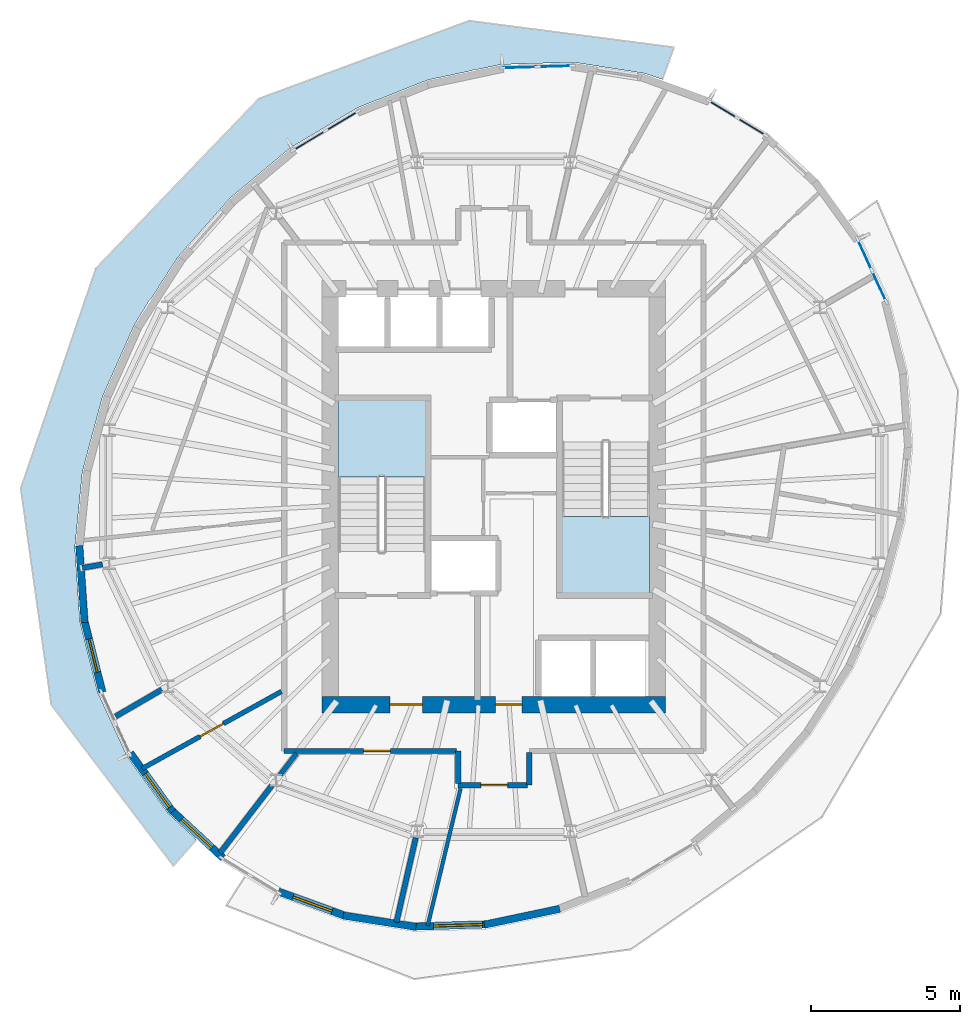
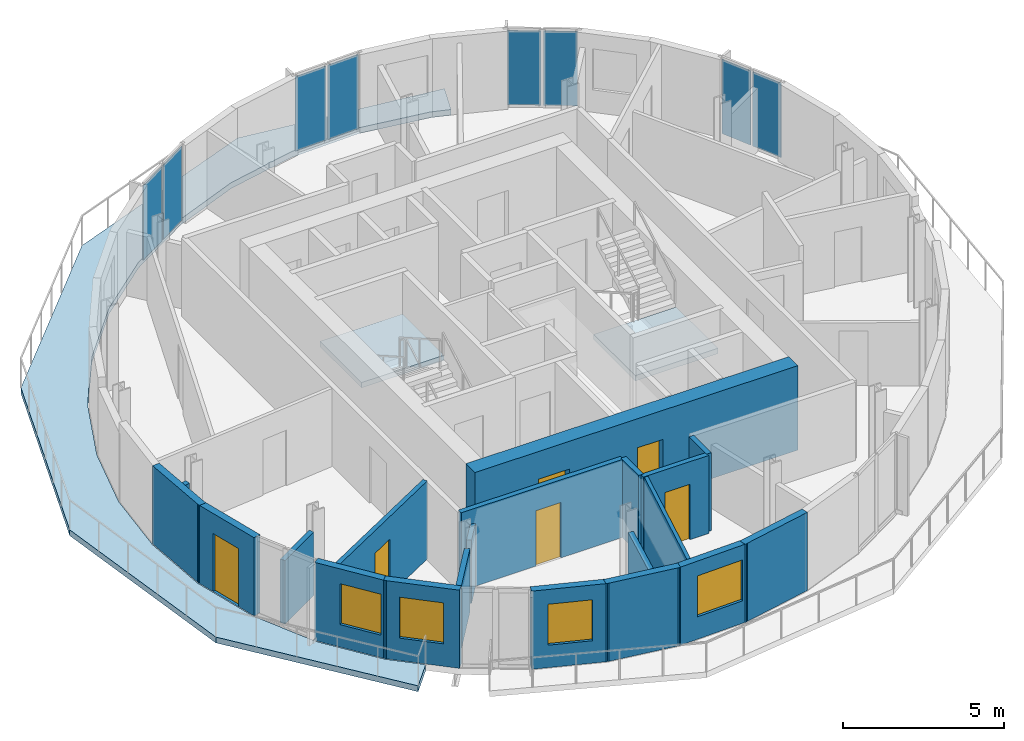
# One storey, part 4 of 11: 20 walls, 8 plates, 6 doors, 4 windows, 3 slabs, 10 openings, 6 elements without a shape of their own.
"""IFC4 building model written with IfcOpenShell, lengths in metres."""

from ifc_helpers import new_model, si_unit, direction, frame, frame_2d, origin, origin_2d, place, context, subcontext, project, spatial, polyline, rectangle, outline, extrude, material, layer, layer_set, type_object, element, fill, aggregate, save


model = new_model("IFC4")

# Units and contexts
model_context = context("Model", 3, precision=1e-05, world=origin(), true_north=direction((0.0, 1.0)))
body_context = subcontext(model_context, "Body", "Model", "MODEL_VIEW")
ifc_project = project(units=[si_unit("LENGTHUNIT", "METRE"), si_unit("AREAUNIT", "SQUARE_METRE"), si_unit("VOLUMEUNIT", "CUBIC_METRE"), si_unit("PLANEANGLEUNIT", "RADIAN"), si_unit("MASSUNIT", "GRAM", prefix="KILO")], contexts=[model_context])

# Site, building, storey
site_placement = place(None, origin())
site = spatial("IfcSite", under=ifc_project, at=site_placement, CompositionType="ELEMENT")
building_placement = place(site_placement, origin())
building = spatial("IfcBuilding", under=site, at=building_placement, Name="Veldorim Arch Residences", CompositionType="ELEMENT")
storey_placement = place(building_placement, frame((0.0, 0.0, 211.0400390625)))
storey = spatial("IfcBuildingStorey", under=building, at=storey_placement, Name="L63", CompositionType="ELEMENT", Elevation=211.0400390625)

# Slab
ifc_material_1 = material(Name="Concrete C40/50", Category="concrete")
ifc_layer_1 = layer(ifc_material_1, 0.219970703125, Name="Planted Crescent Cantilever Balcony Slab 220")
ifc_layer_set_1 = layer_set([ifc_layer_1], Name="Concrete C40/50")
slab_type_1 = type_object("IfcSlabType", Name="Planted Crescent Cantilever Balcony Slab 220", PredefinedType="FLOOR", material=ifc_layer_set_1)
slab_1_placement = place(storey_placement, frame((0.0, 0.0, -0.219970703125)))
element("IfcSlab", 1, at=slab_1_placement, inside=storey, type_object=slab_type_1, Name="L63 planted crescent balcony slab A", PredefinedType="FLOOR", context=body_context, shape_type="SweptSolid", body=[
    extrude(outline(polyline([(37.680419921875, 38.05078125), (37.051513671875, 38.256103515625), (34.687744140625, 38.62548828125), (32.2421875, 38.5498046875), (31.4560546875, 38.384033203125), (31.35986328125, 38.38916015625), (31.243896484375, 38.33935546875), (29.789794921875, 38.032470703125), (27.404296875, 37.088623046875), (25.158935546875, 35.747314453125), (23.121337890625, 34.04931640625), (21.353515625, 32.046142578125), (20.4931640625, 30.707763671875), (20.40966796875, 30.6181640625), (19.90869140625, 29.798583984375), (18.831298828125, 27.374755859375), (18.15380859375, 24.848388671875), (17.897216796875, 22.296142578125), (18.068603515625, 19.795654296875), (18.66357421875, 17.422607421875), (19.6640625, 15.248779296875), (21.039306640625, 13.34130859375), (21.90380859375, 12.540283203125), (21.97509765625, 12.429931640625), (21.213134765625, 11.568603515625), (17.098388671875, 16.993408203125), (16.072509765625, 24.278564453125), (18.603515625, 31.689697265625), (24.087646484375, 37.402587890625), (31.172607421875, 40.026123046875), (38.071533203125, 39.132080078125), (37.680419921875, 38.05078125)])), origin(), (0.0, 0.0, 1.0), 0.219970703125),
])

# Stair, slab
ifc_material_2 = material(Name="Concrete C40/50", Category="concrete")
stair_type = type_object("IfcStairType", Name="Reinforced Concrete Dogleg Exit Staircase", PredefinedType="HALF_TURN_STAIR", material=ifc_material_2)
stair_1_placement = place(storey_placement, origin())
stair_1 = element("IfcStair", 2, at=stair_1_placement, inside=storey, type_object=stair_type, Name="L63 Exit Staircase ST-1", PredefinedType="HALF_TURN_STAIR")
ifc_material_3 = material(Name="Concrete C40/50", Category="concrete")
ifc_layer_2 = layer(ifc_material_3, 0.199951171875, Name="Reinforced Concrete Stair Landing 200")
ifc_layer_set_2 = layer_set([ifc_layer_2], Name="Concrete C40/50")
slab_type_2 = type_object("IfcSlabType", Name="Reinforced Concrete Stair Landing 200", PredefinedType="LANDING", material=ifc_layer_set_2)
slab_2_placement = place(storey_placement, frame((0.0, 0.0, 1.39990234375)))
slab_2 = element("IfcSlab", 3, at=slab_2_placement, type_object=slab_type_2, Name="ST-1 landing 1", PredefinedType="LANDING", context=body_context, shape_type="SweptSolid", body=[
    extrude(outline(polyline([(29.7099609375, 24.669921875), (29.7099609375, 27.25), (26.75, 27.25), (26.75, 24.669921875), (29.7099609375, 24.669921875)])), origin(), (0.0, 0.0, 1.0), 0.199951171875),
])
aggregate(stair_1, [slab_2])

stair_2_placement = place(storey_placement, origin())
stair_2 = element("IfcStair", 4, at=stair_2_placement, inside=storey, type_object=stair_type, Name="L63 Exit Staircase ST-2", PredefinedType="HALF_TURN_STAIR")
slab_3_placement = place(storey_placement, frame((0.0, 0.0, 1.39990234375)))
slab_3 = element("IfcSlab", 5, at=slab_3_placement, type_object=slab_type_2, Name="ST-2 landing 1", PredefinedType="LANDING", context=body_context, shape_type="SweptSolid", body=[
    extrude(outline(polyline([(34.2900390625, 23.330078125), (34.2900390625, 20.75), (37.25, 20.75), (37.25, 23.330078125), (34.2900390625, 23.330078125)])), origin(), (0.0, 0.0, 1.0), 0.199951171875),
])
aggregate(stair_2, [slab_3])

# Curtain wall, plates
ifc_material_4 = material(Name="Aluminium", Category="aluminium")
curtain_wall_type = type_object("IfcCurtainWallType", Name="Zone 4 High-Altitude Unitised Curtain Wall", PredefinedType="NOTDEFINED", material=ifc_material_4)
curtain_wall_1_placement = place(storey_placement, origin())
curtain_wall_1 = element("IfcCurtainWall", 6, at=curtain_wall_1_placement, inside=storey, type_object=curtain_wall_type, Name="L63 unitised curtain wall bay 01", PredefinedType="NOTDEFINED")
ifc_material_5 = material(Name="Laminated Low-E Glass", Category="glass")
ifc_layer_3 = layer(ifc_material_5, 0.030029296875, Name="Zone 4 High-Altitude Unitised Curtain Wall Glazing Panel 30")
ifc_layer_set_3 = layer_set([ifc_layer_3], Name="Laminated Low-E Glass")
plate_type = type_object("IfcPlateType", Name="Zone 4 High-Altitude Unitised Curtain Wall Glazing Panel 30", PredefinedType="CURTAIN_PANEL", material=ifc_layer_set_3)
plate_1_placement = place(storey_placement, frame((39.716796875, 37.042236328125, 0.074951171875), z_axis=(0.0, 0.0, 1.0), x_axis=(0.854146218846, -0.520032918989, 0.0)))
plate_1 = element("IfcPlate", 7, at=plate_1_placement, type_object=plate_type, Name="CW-Z4 panel 1.1", PredefinedType="CURTAIN_PANEL", context=body_context, shape_type="SweptSolid", body=[
    extrude(rectangle(XDim=1.0498046875, YDim=0.030029296875, at=origin_2d()), origin(), (0.0, 0.0, 1.0), 2.81005859375),
])
plate_2_placement = place(storey_placement, frame((40.677734375, 36.457275390625, 0.074951171875), z_axis=(0.0, 0.0, 1.0), x_axis=(0.854146218846, -0.520032918989, 0.0)))
plate_2 = element("IfcPlate", 8, at=plate_2_placement, type_object=plate_type, Name="CW-Z4 panel 2.1", PredefinedType="CURTAIN_PANEL", context=body_context, shape_type="SweptSolid", body=[
    extrude(rectangle(XDim=1.0498046875, YDim=0.030029296875, at=origin_2d()), origin(), (0.0, 0.0, 1.0), 2.81005859375),
])
aggregate(curtain_wall_1, [plate_1, plate_2])

curtain_wall_2_placement = place(storey_placement, origin())
curtain_wall_2 = element("IfcCurtainWall", 9, at=curtain_wall_2_placement, inside=storey, type_object=curtain_wall_type, Name="L63 unitised curtain wall bay 04", PredefinedType="NOTDEFINED")
plate_3_placement = place(storey_placement, frame((32.876953125, 38.454345703125, 0.074951171875), z_axis=(0.0, 0.0, 1.0), x_axis=(0.999524500422, 0.030834608084, 0.0)))
plate_3 = element("IfcPlate", 10, at=plate_3_placement, type_object=plate_type, Name="CW-Z4 panel 1.1", PredefinedType="CURTAIN_PANEL", context=body_context, shape_type="SweptSolid", body=[
    extrude(rectangle(XDim=1.108642578125, YDim=0.030029296875, at=origin_2d()), origin(), (0.0, 0.0, 1.0), 2.81005859375),
])
plate_4_placement = place(storey_placement, frame((34.059814453125, 38.490966796875, 0.074951171875), z_axis=(0.0, 0.0, 1.0), x_axis=(0.999524500422, 0.030834608084, 0.0)))
plate_4 = element("IfcPlate", 11, at=plate_4_placement, type_object=plate_type, Name="CW-Z4 panel 2.1", PredefinedType="CURTAIN_PANEL", context=body_context, shape_type="SweptSolid", body=[
    extrude(rectangle(XDim=1.108642578125, YDim=0.030029296875, at=origin_2d()), origin(), (0.0, 0.0, 1.0), 2.81005859375),
])
aggregate(curtain_wall_2, [plate_3, plate_4])

curtain_wall_3_placement = place(storey_placement, origin())
curtain_wall_3 = element("IfcCurtainWall", 12, at=curtain_wall_3_placement, inside=storey, type_object=curtain_wall_type, Name="L63 unitised curtain wall bay 07", PredefinedType="NOTDEFINED")
plate_5_placement = place(storey_placement, frame((25.796142578125, 35.994140625, 0.074951171875), z_axis=(0.0, 0.0, 1.0), x_axis=(0.85849808331, 0.512816771325, 0.0)))
plate_5 = element("IfcPlate", 13, at=plate_5_placement, type_object=plate_type, Name="CW-Z4 panel 1.1", PredefinedType="CURTAIN_PANEL", context=body_context, shape_type="SweptSolid", body=[
    extrude(rectangle(XDim=1.193359375, YDim=0.030029296875, at=origin_2d()), origin(), (0.0, 0.0, 1.0), 2.81005859375),
])
plate_6_placement = place(storey_placement, frame((26.885009765625, 36.64453125, 0.074951171875), z_axis=(0.0, 0.0, 1.0), x_axis=(0.85849808331, 0.512816771325, 0.0)))
plate_6 = element("IfcPlate", 14, at=plate_6_placement, type_object=plate_type, Name="CW-Z4 panel 2.1", PredefinedType="CURTAIN_PANEL", context=body_context, shape_type="SweptSolid", body=[
    extrude(rectangle(XDim=1.193359375, YDim=0.030029296875, at=origin_2d()), origin(), (0.0, 0.0, 1.0), 2.81005859375),
])
aggregate(curtain_wall_3, [plate_5, plate_6])

curtain_wall_4_placement = place(storey_placement, origin())
curtain_wall_4 = element("IfcCurtainWall", 15, at=curtain_wall_4_placement, inside=storey, type_object=curtain_wall_type, Name="L63 unitised curtain wall bay 34", PredefinedType="NOTDEFINED")
plate_7_placement = place(storey_placement, frame((44.489990234375, 32.141357421875, 0.074951171875), z_axis=(0.0, 0.0, 1.0), x_axis=(0.418101919427, -0.908400123828, 0.0)))
plate_7 = element("IfcPlate", 16, at=plate_7_placement, type_object=plate_type, Name="CW-Z4 panel 1.1", PredefinedType="CURTAIN_PANEL", context=body_context, shape_type="SweptSolid", body=[
    extrude(rectangle(XDim=1.08154296875, YDim=0.030029296875, at=origin_2d()), origin(), (0.0, 0.0, 1.0), 2.81005859375),
])
plate_8_placement = place(storey_placement, frame((44.973388671875, 31.0908203125, 0.074951171875), z_axis=(0.0, 0.0, 1.0), x_axis=(0.418101919427, -0.908400123828, 0.0)))
plate_8 = element("IfcPlate", 17, at=plate_8_placement, type_object=plate_type, Name="CW-Z4 panel 2.1", PredefinedType="CURTAIN_PANEL", context=body_context, shape_type="SweptSolid", body=[
    extrude(rectangle(XDim=1.08154296875, YDim=0.030029296875, at=origin_2d()), origin(), (0.0, 0.0, 1.0), 2.81005859375),
])
aggregate(curtain_wall_4, [plate_7, plate_8])

# Walls
ifc_material_6 = material(Name="Acoustic Gypsum Board", Category="gypsum")
ifc_layer_4 = layer(ifc_material_6, 0.125, Name="Acoustic Stud Room Partition Wall 125")
ifc_layer_set_4 = layer_set([ifc_layer_4], Name="Acoustic Gypsum Board")
wall_type_1 = type_object("IfcWallType", Name="Acoustic Stud Room Partition Wall 125", PredefinedType="PARTITIONING", material=ifc_layer_set_4)
wall_1_placement = place(storey_placement, frame((29.775390625, 9.553955078125, 0.0), z_axis=(0.0, 0.0, 1.0), x_axis=(0.232836379221, 0.972515923012, 0.0)))
element("IfcWall", 18, at=wall_1_placement, inside=storey, type_object=wall_type_1, Name="L63 interior wall WL-RES-L63-014", PredefinedType="PARTITIONING", context=body_context, shape_type="SweptSolid", body=[
    extrude(rectangle(XDim=4.75, YDim=0.125, at=frame_2d((2.375, 0.0))), origin(), (0.0, 0.0, 1.0), 2.955078125),
])
ifc_material_7 = material(Name="Lightweight Masonry Block & Gypsum", Category="masonry")
ifc_layer_5 = layer(ifc_material_7, 0.179931640625, Name="Compartment & Corridor Fire-Rated Party Wall 180")
ifc_layer_set_5 = layer_set([ifc_layer_5], Name="Lightweight Masonry Block & Gypsum")
wall_type_2 = type_object("IfcWallType", Name="Compartment & Corridor Fire-Rated Party Wall 180", PredefinedType="PARTITIONING", material=ifc_layer_set_5)
wall_2_placement = place(storey_placement, frame((18.827392578125, 21.72119140625, 0.0), z_axis=(0.0, 0.0, 1.0), x_axis=(-0.985357392461, -0.170501639647, 0.0)))
element("IfcWall", 19, at=wall_2_placement, inside=storey, type_object=wall_type_2, Name="L63 interior wall WL-PIER-L63-09", PredefinedType="PARTITIONING", context=body_context, shape_type="SweptSolid", body=[
    extrude(rectangle(XDim=0.687255859375, YDim=0.179931640625, at=frame_2d((0.34375, 0.0))), origin(), (0.0, 0.0, 1.0), 2.4033203125),
])
wall_3_placement = place(storey_placement, frame((20.826171875, 17.5068359375, 0.0), z_axis=(0.0, 0.0, 1.0), x_axis=(-0.864637155841, -0.502396843879, 0.0)))
element("IfcWall", 20, at=wall_3_placement, inside=storey, type_object=wall_type_2, Name="L63 interior wall WL-PIER-L63-10", PredefinedType="PARTITIONING", context=body_context, shape_type="SweptSolid", body=[
    extrude(rectangle(XDim=1.802978515625, YDim=0.179931640625, at=frame_2d((0.9013671875, 0.0))), origin(), (0.0, 0.0, 1.0), 2.4033203125),
])
wall_4_placement = place(storey_placement, frame((24.526611328125, 14.272705078125, 0.0), z_axis=(0.0, 0.0, 1.0), x_axis=(-0.609244614772, -0.792982344931, 0.0)))
element("IfcWall", 21, at=wall_4_placement, inside=storey, type_object=wall_type_2, Name="L63 interior wall WL-PIER-L63-11", PredefinedType="PARTITIONING", context=body_context, shape_type="SweptSolid", body=[
    extrude(rectangle(XDim=2.86083984375, YDim=0.179931640625, at=frame_2d((1.430419921875, 0.0))), origin(), (0.0, 0.0, 1.0), 2.4033203125),
])
wall_5_placement = place(storey_placement, frame((29.37353515625, 12.516845703125, 0.0), z_axis=(0.0, 0.0, 1.0), x_axis=(-0.222945280676, -0.974830960641, 0.0)))
element("IfcWall", 22, at=wall_5_placement, inside=storey, type_object=wall_type_2, Name="L63 interior wall WL-PIER-L63-12", PredefinedType="PARTITIONING", context=body_context, shape_type="SweptSolid", body=[
    extrude(rectangle(XDim=2.916259765625, YDim=0.179931640625, at=frame_2d((1.4580078125, 0.0))), origin(), (0.0, 0.0, 1.0), 2.4033203125),
])
wall_6_placement = place(storey_placement, frame((33.199951171875, 15.3798828125, 0.0), z_axis=(0.0, 0.0, 1.0), x_axis=(0.0, -1.0, 0.0)))
element("IfcWall", 23, at=wall_6_placement, inside=storey, type_object=wall_type_2, Name="L63 interior wall WL-RES-L63-002", PredefinedType="PARTITIONING", context=body_context, shape_type="SweptSolid", body=[
    extrude(rectangle(XDim=1.08984375, YDim=0.179931640625, at=frame_2d((0.544921875, 0.0))), origin(), (0.0, 0.0, 1.0), 2.955078125),
])

# Wall, opening, door
wall_7_placement = place(storey_placement, frame((33.139892578125, 14.2900390625, 0.0), z_axis=(0.0, 0.0, 1.0), x_axis=(-1.0, 0.0, 0.0)))
wall_7 = element("IfcWall", 24, at=wall_7_placement, inside=storey, type_object=wall_type_2, Name="L63 interior wall WL-RES-L63-003", PredefinedType="PARTITIONING", context=body_context, shape_type="SweptSolid", body=[
    extrude(rectangle(XDim=2.33984375, YDim=0.179931640625, at=frame_2d((1.169921875, 0.0))), origin(), (0.0, 0.0, 1.0), 2.955078125),
])
opening_1_placement = place(wall_7_placement, frame((0.675537109375, 0.0, 0.0)))
opening_1 = element("IfcOpeningElement", 25, at=opening_1_placement, cuts=wall_7, Name="Opening DR-SVC", PredefinedType="OPENING", context=body_context, shape_type="SweptSolid", body=[
    extrude(rectangle(XDim=0.89990234375, YDim=2.10009765625, at=frame_2d((0.449951171875, 1.050048828125))), frame((0.0, 0.099853515625, 0.0), z_axis=(0.0, -1.0, 0.0), x_axis=(1.0, 0.0, 0.0)), (0.0, 0.0, 1.0), 0.199951171875),
])
ifc_material_8 = material(Name="Fire-Rated Steel", Category="steel")
door_type_1 = type_object("IfcDoorType", Name="Riser, Shelter & Plant Room Rated Steel Door 900x2100", OperationType="SINGLE_SWING_LEFT", PredefinedType="DOOR", material=ifc_material_8)
door_1_placement = place(opening_1_placement, origin())
door_1 = element("IfcDoor", 26, at=door_1_placement, inside=storey, type_object=door_type_1, Name="L63 interior door DR-RES-L63-001", OperationType="SINGLE_SWING_LEFT", OverallHeight=2.10009765625, OverallWidth=0.89990234375, PredefinedType="DOOR", context=body_context, shape_type="SweptSolid", body=[
    extrude(rectangle(XDim=0.89990234375, YDim=2.10009765625, at=frame_2d((0.449951171875, 1.050048828125))), frame((0.0, 0.02490234375, 0.0), z_axis=(0.0, -1.0, 0.0), x_axis=(1.0, 0.0, 0.0)), (0.0, 0.0, 1.0), 0.050048828125),
])
fill(opening_1, door_1)

# Wall
wall_8_placement = place(storey_placement, frame((30.800048828125, 14.35009765625, 0.0), z_axis=(0.0, 0.0, 1.0), x_axis=(0.0, 1.0, 0.0)))
element("IfcWall", 27, at=wall_8_placement, inside=storey, type_object=wall_type_2, Name="L63 interior wall WL-RES-L63-004", PredefinedType="PARTITIONING", context=body_context, shape_type="SweptSolid", body=[
    extrude(rectangle(XDim=1.08984375, YDim=0.179931640625, at=frame_2d((0.544921875, 0.0))), origin(), (0.0, 0.0, 1.0), 2.955078125),
])

# Wall, opening, door
wall_9_placement = place(storey_placement, frame((30.739990234375, 15.43994140625, 0.0), z_axis=(0.0, 0.0, 1.0), x_axis=(-1.0, 0.0, 0.0)))
wall_9 = element("IfcWall", 28, at=wall_9_placement, inside=storey, type_object=wall_type_2, Name="L63 interior wall WL-RES-L63-005", PredefinedType="PARTITIONING", context=body_context, shape_type="SweptSolid", body=[
    extrude(rectangle(XDim=5.800048828125, YDim=0.179931640625, at=frame_2d((2.89990234375, 0.0))), origin(), (0.0, 0.0, 1.0), 2.955078125),
])
opening_2_placement = place(wall_9_placement, frame((2.220703125, 0.0, 0.0)))
opening_2 = element("IfcOpeningElement", 29, at=opening_2_placement, cuts=wall_9, Name="Opening DR-INT", PredefinedType="OPENING", context=body_context, shape_type="SweptSolid", body=[
    extrude(rectangle(XDim=0.89990234375, YDim=2.10009765625, at=frame_2d((0.449951171875, 1.050048828125))), frame((0.0, 0.099853515625, 0.0), z_axis=(0.0, -1.0, 0.0), x_axis=(1.0, 0.0, 0.0)), (0.0, 0.0, 1.0), 0.199951171875),
])
ifc_material_9 = material(Name="Engineered Timber", Category="wood")
door_type_2 = type_object("IfcDoorType", Name="Apartment Internal Room Timber Door 900x2100", OperationType="SINGLE_SWING_LEFT", PredefinedType="DOOR", material=ifc_material_9)
door_2_placement = place(opening_2_placement, origin())
door_2 = element("IfcDoor", 30, at=door_2_placement, inside=storey, type_object=door_type_2, Name="L63 interior door DR-RES-L63-002", OperationType="SINGLE_SWING_RIGHT", OverallHeight=2.10009765625, OverallWidth=0.89990234375, PredefinedType="DOOR", context=body_context, shape_type="SweptSolid", body=[
    extrude(rectangle(XDim=0.89990234375, YDim=2.10009765625, at=frame_2d((0.449951171875, 1.050048828125))), frame((0.0, 0.02490234375, 0.0), z_axis=(0.0, -1.0, 0.0), x_axis=(1.0, 0.0, 0.0)), (0.0, 0.0, 1.0), 0.050048828125),
])
fill(opening_2, door_2)

# Wall
ifc_material_10 = material(Name="Precast concrete C40/50", Category="concrete")
ifc_layer_6 = layer(ifc_material_10, 0.25, Name="Tower Terracotta Spandrel & Pier Wall 250")
ifc_layer_set_6 = layer_set([ifc_layer_6], Name="Precast concrete C40/50")
wall_type_3 = type_object("IfcWallType", Name="Tower Terracotta Spandrel & Pier Wall 250", PredefinedType="SOLIDWALL", material=ifc_layer_set_6)
wall_10_placement = place(storey_placement, frame((18.22119140625, 19.76318359375, 0.0), z_axis=(0.0, 0.0, 1.0), x_axis=(-0.068469168344, 0.997653232835, 0.0)))
element("IfcWall", 31, at=wall_10_placement, inside=storey, type_object=wall_type_3, Name="L63 terracotta facade wall 14", PredefinedType="SOLIDWALL", context=body_context, shape_type="SweptSolid", body=[
    extrude(rectangle(XDim=2.59228515625, YDim=0.25, at=frame_2d((1.296142578125, 0.0))), origin(), (0.0, 0.0, 1.0), 2.9599609375),
])

# Wall, opening, door
wall_11_placement = place(storey_placement, frame((18.819580078125, 17.41748046875, 0.0), z_axis=(0.0, 0.0, 1.0), x_axis=(-0.243170809566, 0.969983483042, 0.0)))
wall_11 = element("IfcWall", 32, at=wall_11_placement, inside=storey, type_object=wall_type_3, Name="L63 terracotta facade wall 15", PredefinedType="SOLIDWALL", context=body_context, shape_type="SweptSolid", body=[
    extrude(rectangle(XDim=2.531982421875, YDim=0.25, at=frame_2d((1.26611328125, 0.0))), origin(), (0.0, 0.0, 1.0), 2.9599609375),
])
opening_3_placement = place(wall_11_placement, frame((0.69091796875, 0.0, 0.0)))
opening_3 = element("IfcOpeningElement", 33, at=opening_3_placement, cuts=wall_11, Name="Opening BL-DR", PredefinedType="OPENING", context=body_context, shape_type="SweptSolid", body=[
    extrude(rectangle(XDim=1.14990234375, YDim=2.199951171875, at=frame_2d((0.574951171875, 1.10009765625))), frame((0.0, 0.135009765625, 0.0), z_axis=(0.0, -1.0, 0.0), x_axis=(1.0, 0.0, 0.0)), (0.0, 0.0, 1.0), 0.27001953125),
])
ifc_material_11 = material(Name="Aluminium & Low-E Glass", Category="aluminium")
door_type_3 = type_object("IfcDoorType", Name="Glazed Planted Balcony Door 1150x2200", OperationType="SINGLE_SWING_LEFT", PredefinedType="DOOR", material=ifc_material_11)
door_3_placement = place(opening_3_placement, origin())
door_3 = element("IfcDoor", 34, at=door_3_placement, inside=storey, type_object=door_type_3, Name="L63 glazed outdoor terrace door BALC-1", OperationType="SINGLE_SWING_LEFT", OverallHeight=2.199951171875, OverallWidth=1.14990234375, PredefinedType="DOOR", context=body_context, shape_type="SweptSolid", body=[
    extrude(rectangle(XDim=1.14990234375, YDim=2.199951171875, at=frame_2d((0.574951171875, 1.10009765625))), frame((0.0, 0.02490234375, 0.0), z_axis=(0.0, -1.0, 0.0), x_axis=(1.0, 0.0, 0.0)), (0.0, 0.0, 1.0), 0.050048828125),
])
fill(opening_3, door_3)

# Wall, opening, window
wall_12_placement = place(storey_placement, frame((21.185791015625, 13.39453125, 0.0), z_axis=(0.0, 0.0, 1.0), x_axis=(-0.584824573101, 0.811159798497, 0.0)))
wall_12 = element("IfcWall", 35, at=wall_12_placement, inside=storey, type_object=wall_type_3, Name="L63 terracotta facade wall 17", PredefinedType="SOLIDWALL", context=body_context, shape_type="SweptSolid", body=[
    extrude(rectangle(XDim=2.436767578125, YDim=0.25, at=frame_2d((1.21826171875, 0.0))), origin(), (0.0, 0.0, 1.0), 2.9599609375),
])
opening_4_placement = place(wall_12_placement, frame((0.175048828125, 0.0, 0.85009765625)))
opening_4 = element("IfcOpeningElement", 36, at=opening_4_placement, cuts=wall_12, Name="Opening WN-02", PredefinedType="OPENING", context=body_context, shape_type="SweptSolid", body=[
    extrude(rectangle(XDim=1.39990234375, YDim=1.550048828125, at=frame_2d((0.699951171875, 0.77490234375))), frame((0.0, 0.135009765625, 0.0), z_axis=(0.0, -1.0, 0.0), x_axis=(1.0, 0.0, 0.0)), (0.0, 0.0, 1.0), 0.27001953125),
])
ifc_material_12 = material(Name="Laminated Low-E Glass", Category="glass")
window_type_1 = type_object("IfcWindowType", Name="Residential Casement Window 1400x1550", PartitioningType="SINGLE_PANEL", PredefinedType="WINDOW", material=ifc_material_12)
window_1_placement = place(opening_4_placement, origin())
window_1 = element("IfcWindow", 37, at=window_1_placement, inside=storey, type_object=window_type_1, Name="L63 solar-control facade window 17", OverallHeight=1.550048828125, OverallWidth=1.39990234375, PartitioningType="SINGLE_PANEL", PredefinedType="WINDOW", context=body_context, shape_type="SweptSolid", body=[
    extrude(rectangle(XDim=1.39990234375, YDim=1.550048828125, at=frame_2d((0.699951171875, 0.77490234375))), frame((0.0, 0.030029296875, 0.0), z_axis=(0.0, -1.0, 0.0), x_axis=(1.0, 0.0, 0.0)), (0.0, 0.0, 1.0), 0.06005859375),
])
fill(opening_4, window_1)

wall_13_placement = place(storey_placement, frame((22.881103515625, 11.8388671875, 0.0), z_axis=(0.0, 0.0, 1.0), x_axis=(-0.733441361842, 0.679752726173, 0.0)))
wall_13 = element("IfcWall", 38, at=wall_13_placement, inside=storey, type_object=wall_type_3, Name="L63 terracotta facade wall 18", PredefinedType="SOLIDWALL", context=body_context, shape_type="SweptSolid", body=[
    extrude(rectangle(XDim=2.41455078125, YDim=0.25, at=frame_2d((1.207275390625, 0.0))), origin(), (0.0, 0.0, 1.0), 2.9599609375),
])
opening_5_placement = place(wall_13_placement, frame((0.507080078125, 0.0, 0.85009765625)))
opening_5 = element("IfcOpeningElement", 39, at=opening_5_placement, cuts=wall_13, Name="Opening WN-02", PredefinedType="OPENING", context=body_context, shape_type="SweptSolid", body=[
    extrude(rectangle(XDim=1.39990234375, YDim=1.550048828125, at=frame_2d((0.699951171875, 0.77490234375))), frame((0.0, 0.135009765625, 0.0), z_axis=(0.0, -1.0, 0.0), x_axis=(1.0, 0.0, 0.0)), (0.0, 0.0, 1.0), 0.27001953125),
])
window_2_placement = place(opening_5_placement, origin())
window_2 = element("IfcWindow", 40, at=window_2_placement, inside=storey, type_object=window_type_1, Name="L63 solar-control facade window 18", OverallHeight=1.550048828125, OverallWidth=1.39990234375, PartitioningType="SINGLE_PANEL", PredefinedType="WINDOW", context=body_context, shape_type="SweptSolid", body=[
    extrude(rectangle(XDim=1.39990234375, YDim=1.550048828125, at=frame_2d((0.699951171875, 0.77490234375))), frame((0.0, 0.030029296875, 0.0), z_axis=(0.0, -1.0, 0.0), x_axis=(1.0, 0.0, 0.0)), (0.0, 0.0, 1.0), 0.06005859375),
])
fill(opening_5, window_2)

wall_14_placement = place(storey_placement, frame((27.039794921875, 9.8701171875, 0.0), z_axis=(0.0, 0.0, 1.0), x_axis=(-0.939954186413, 0.341300640851, 0.0)))
wall_14 = element("IfcWall", 41, at=wall_14_placement, inside=storey, type_object=wall_type_3, Name="L63 terracotta facade wall 20", PredefinedType="SOLIDWALL", context=body_context, shape_type="SweptSolid", body=[
    extrude(rectangle(XDim=2.43701171875, YDim=0.25, at=frame_2d((1.218505859375, 0.0))), origin(), (0.0, 0.0, 1.0), 2.9599609375),
])
opening_6_placement = place(wall_14_placement, frame((0.51806640625, 0.0, 0.85009765625)))
opening_6 = element("IfcOpeningElement", 42, at=opening_6_placement, cuts=wall_14, Name="Opening WN-02", PredefinedType="OPENING", context=body_context, shape_type="SweptSolid", body=[
    extrude(rectangle(XDim=1.39990234375, YDim=1.550048828125, at=frame_2d((0.699951171875, 0.77490234375))), frame((0.0, 0.135009765625, 0.0), z_axis=(0.0, -1.0, 0.0), x_axis=(1.0, 0.0, 0.0)), (0.0, 0.0, 1.0), 0.27001953125),
])
window_3_placement = place(opening_6_placement, origin())
window_3 = element("IfcWindow", 43, at=window_3_placement, inside=storey, type_object=window_type_1, Name="L63 solar-control facade window 20", OverallHeight=1.550048828125, OverallWidth=1.39990234375, PartitioningType="SINGLE_PANEL", PredefinedType="WINDOW", context=body_context, shape_type="SweptSolid", body=[
    extrude(rectangle(XDim=1.39990234375, YDim=1.550048828125, at=frame_2d((0.699951171875, 0.77490234375))), frame((0.0, 0.030029296875, 0.0), z_axis=(0.0, -1.0, 0.0), x_axis=(1.0, 0.0, 0.0)), (0.0, 0.0, 1.0), 0.06005859375),
])
fill(opening_6, window_3)

# Wall
wall_15_placement = place(storey_placement, frame((29.377685546875, 9.516357421875, 0.0), z_axis=(0.0, 0.0, 1.0), x_axis=(-0.988040195026, 0.154196540209, 0.0)))
element("IfcWall", 44, at=wall_15_placement, inside=storey, type_object=wall_type_3, Name="L63 terracotta facade wall 21", PredefinedType="SOLIDWALL", context=body_context, shape_type="SweptSolid", body=[
    extrude(rectangle(XDim=2.477783203125, YDim=0.25, at=frame_2d((1.23876953125, 0.0))), origin(), (0.0, 0.0, 1.0), 2.9599609375),
])

# Wall, opening, window
wall_16_placement = place(storey_placement, frame((31.7958984375, 9.601318359375, 0.0), z_axis=(0.0, 0.0, 1.0), x_axis=(-0.999523857129, -0.030855453818, 0.0)))
wall_16 = element("IfcWall", 45, at=wall_16_placement, inside=storey, type_object=wall_type_3, Name="L63 terracotta facade wall 22", PredefinedType="SOLIDWALL", context=body_context, shape_type="SweptSolid", body=[
    extrude(rectangle(XDim=2.531982421875, YDim=0.25, at=frame_2d((1.26611328125, 0.0))), origin(), (0.0, 0.0, 1.0), 2.9599609375),
])
opening_7_placement = place(wall_16_placement, frame((0.175048828125, 0.0, 0.85009765625)))
opening_7 = element("IfcOpeningElement", 46, at=opening_7_placement, cuts=wall_16, Name="Opening WN-03", PredefinedType="OPENING", context=body_context, shape_type="SweptSolid", body=[
    extrude(rectangle(XDim=1.64990234375, YDim=1.550048828125, at=frame_2d((0.824951171875, 0.77490234375))), frame((0.0, 0.135009765625, 0.0), z_axis=(0.0, -1.0, 0.0), x_axis=(1.0, 0.0, 0.0)), (0.0, 0.0, 1.0), 0.27001953125),
])
ifc_material_13 = material(Name="Laminated Low-E Glass", Category="glass")
window_type_2 = type_object("IfcWindowType", Name="Residential Wide Window 1650x1550", PartitioningType="SINGLE_PANEL", PredefinedType="WINDOW", material=ifc_material_13)
window_4_placement = place(opening_7_placement, origin())
window_4 = element("IfcWindow", 47, at=window_4_placement, inside=storey, type_object=window_type_2, Name="L63 solar-control facade window 22", OverallHeight=1.550048828125, OverallWidth=1.64990234375, PartitioningType="SINGLE_PANEL", PredefinedType="WINDOW", context=body_context, shape_type="SweptSolid", body=[
    extrude(rectangle(XDim=1.64990234375, YDim=1.550048828125, at=frame_2d((0.824951171875, 0.77490234375))), frame((0.0, 0.030029296875, 0.0), z_axis=(0.0, -1.0, 0.0), x_axis=(1.0, 0.0, 0.0)), (0.0, 0.0, 1.0), 0.06005859375),
])
fill(opening_7, window_4)

# Wall
wall_17_placement = place(storey_placement, frame((34.22119140625, 10.123291015625, 0.0), z_axis=(0.0, 0.0, 1.0), x_axis=(-0.978434707222, -0.206556345104, 0.0)))
element("IfcWall", 48, at=wall_17_placement, inside=storey, type_object=wall_type_3, Name="L63 terracotta facade wall 23", PredefinedType="SOLIDWALL", context=body_context, shape_type="SweptSolid", body=[
    extrude(rectangle(XDim=2.592041015625, YDim=0.25, at=frame_2d((1.2958984375, 0.0))), origin(), (0.0, 0.0, 1.0), 2.9599609375),
])

# Wall, openings, doors
ifc_material_14 = material(Name="Concrete C50/60", Category="concrete")
ifc_layer_7 = layer(ifc_material_14, 0.5, Name="Upper Central Core Shear Wall 560")
ifc_layer_set_7 = layer_set([ifc_layer_7], Name="Concrete C50/60")
wall_type_4 = type_object("IfcWallType", Name="Upper Central Core Shear Wall 560", PredefinedType="SHEAR", material=ifc_layer_set_7)
wall_18_placement = place(storey_placement, frame((26.219970703125, 17.0, 0.0), z_axis=(0.0, 0.0, 1.0), x_axis=(1.0, 0.0, 0.0)))
wall_18 = element("IfcWall", 49, at=wall_18_placement, inside=storey, type_object=wall_type_4, Name="L63 central core south shear wall", PredefinedType="SHEAR", context=body_context, shape_type="SweptSolid", body=[
    extrude(rectangle(XDim=11.56005859375, YDim=0.56005859375, at=frame_2d((5.780029296875, 0.0))), origin(), (0.0, 0.0, 1.0), 3.199951171875),
])
opening_8_placement = place(wall_18_placement, frame((2.280029296875, 0.0, 0.0)))
opening_8 = element("IfcOpeningElement", 50, at=opening_8_placement, cuts=wall_18, Name="Opening DR-FFL", PredefinedType="OPENING", context=body_context, shape_type="SweptSolid", body=[
    extrude(rectangle(XDim=1.10009765625, YDim=2.14990234375, at=frame_2d((0.550048828125, 1.074951171875))), frame((0.0, 0.2900390625, 0.0), z_axis=(0.0, -1.0, 0.0), x_axis=(1.0, 0.0, 0.0)), (0.0, 0.0, 1.0), 0.580078125),
])
opening_9_placement = place(wall_18_placement, frame((5.830078125, 0.0, 0.0)))
opening_9 = element("IfcOpeningElement", 51, at=opening_9_placement, cuts=wall_18, Name="Opening DR-SVC", PredefinedType="OPENING", context=body_context, shape_type="SweptSolid", body=[
    extrude(rectangle(XDim=0.89990234375, YDim=2.10009765625, at=frame_2d((0.449951171875, 1.050048828125))), frame((0.0, 0.2900390625, 0.0), z_axis=(0.0, -1.0, 0.0), x_axis=(1.0, 0.0, 0.0)), (0.0, 0.0, 1.0), 0.580078125),
])
ifc_material_15 = material(Name="Fire-Rated Steel & Vision Glass", Category="steel")
door_type_4 = type_object("IfcDoorType", Name="Firefighting Lobby Smoke-Stop Fire Door 1100x2150", OperationType="SINGLE_SWING_LEFT", PredefinedType="DOOR", material=ifc_material_15)
door_4_placement = place(opening_8_placement, origin())
door_4 = element("IfcDoor", 52, at=door_4_placement, inside=storey, type_object=door_type_4, Name="L63 interior door DR-L63-FFL1", OperationType="SINGLE_SWING_RIGHT", OverallHeight=2.14990234375, OverallWidth=1.10009765625, PredefinedType="DOOR", context=body_context, shape_type="SweptSolid", body=[
    extrude(rectangle(XDim=1.10009765625, YDim=2.14990234375, at=frame_2d((0.550048828125, 1.074951171875))), frame((0.0, 0.02490234375, 0.0), z_axis=(0.0, -1.0, 0.0), x_axis=(1.0, 0.0, 0.0)), (0.0, 0.0, 1.0), 0.050048828125),
])
fill(opening_8, door_4)
door_5_placement = place(opening_9_placement, origin())
door_5 = element("IfcDoor", 53, at=door_5_placement, inside=storey, type_object=door_type_1, Name="L63 interior door DR-L63-COR-ANC", OperationType="SINGLE_SWING_LEFT", OverallHeight=2.10009765625, OverallWidth=0.89990234375, PredefinedType="DOOR", context=body_context, shape_type="SweptSolid", body=[
    extrude(rectangle(XDim=0.89990234375, YDim=2.10009765625, at=frame_2d((0.449951171875, 1.050048828125))), frame((0.0, 0.02490234375, 0.0), z_axis=(0.0, -1.0, 0.0), x_axis=(1.0, 0.0, 0.0)), (0.0, 0.0, 1.0), 0.050048828125),
])
fill(opening_9, door_5)

# Wall
ifc_material_16 = material(Name="Moisture-Resistant Gypsum & Stud", Category="gypsum")
ifc_layer_8 = layer(ifc_material_16, 0.159912109375, Name="Wet-Area Moisture-Resistant Plumbing Wall 160")
ifc_layer_set_8 = layer_set([ifc_layer_8], Name="Moisture-Resistant Gypsum & Stud")
wall_type_5 = type_object("IfcWallType", Name="Wet-Area Moisture-Resistant Plumbing Wall 160", PredefinedType="PLUMBINGWALL", material=ifc_layer_set_8)
wall_19_placement = place(storey_placement, frame((24.80615234375, 14.636474609375, 0.0), z_axis=(0.0, 0.0, 1.0), x_axis=(0.609284308489, 0.792951846854, 0.0)))
element("IfcWall", 54, at=wall_19_placement, inside=storey, type_object=wall_type_5, Name="L63 interior wall WL-RES-L63-016", PredefinedType="PLUMBINGWALL", context=body_context, shape_type="SweptSolid", body=[
    extrude(rectangle(XDim=0.9130859375, YDim=0.159912109375, at=frame_2d((0.45654296875, 0.0))), origin(), (0.0, 0.0, 1.0), 2.4033203125),
])

# Wall, opening, door
wall_20_placement = place(storey_placement, frame((24.8525390625, 17.442626953125, 0.0), z_axis=(0.0, 0.0, 1.0), x_axis=(-0.874969642777, -0.484177781624, 0.0)))
wall_20 = element("IfcWall", 55, at=wall_20_placement, inside=storey, type_object=wall_type_5, Name="L63 interior wall WL-RES-L63-028", PredefinedType="PLUMBINGWALL", context=body_context, shape_type="SweptSolid", body=[
    extrude(rectangle(XDim=5.364501953125, YDim=0.159912109375, at=frame_2d((2.68212890625, 0.0))), origin(), (0.0, 0.0, 1.0), 2.955078125),
])
opening_10_placement = place(wall_20_placement, frame((2.232421875, 0.0, 0.0)))
opening_10 = element("IfcOpeningElement", 56, at=opening_10_placement, cuts=wall_20, Name="Opening DR-WC", PredefinedType="OPENING", context=body_context, shape_type="SweptSolid", body=[
    extrude(rectangle(XDim=0.89990234375, YDim=2.10009765625, at=frame_2d((0.449951171875, 1.050048828125))), frame((0.0, 0.08984375, 0.0), z_axis=(0.0, -1.0, 0.0), x_axis=(1.0, 0.0, 0.0)), (0.0, 0.0, 1.0), 0.179931640625),
])
ifc_material_17 = material(Name="Laminate Timber", Category="wood")
door_type_5 = type_object("IfcDoorType", Name="Bathroom & Accessible WC Moisture-Sealed Door 900x2100", OperationType="SINGLE_SWING_LEFT", PredefinedType="DOOR", material=ifc_material_17)
door_6_placement = place(opening_10_placement, origin())
door_6 = element("IfcDoor", 57, at=door_6_placement, inside=storey, type_object=door_type_5, Name="L63 interior door DR-RES-L63-014", OperationType="SINGLE_SWING_RIGHT", OverallHeight=2.10009765625, OverallWidth=0.89990234375, PredefinedType="DOOR", context=body_context, shape_type="SweptSolid", body=[
    extrude(rectangle(XDim=0.89990234375, YDim=2.10009765625, at=frame_2d((0.449951171875, 1.050048828125))), frame((0.0, 0.02490234375, 0.0), z_axis=(0.0, -1.0, 0.0), x_axis=(1.0, 0.0, 0.0)), (0.0, 0.0, 1.0), 0.050048828125),
])
fill(opening_10, door_6)

save(model, "model.ifc")
